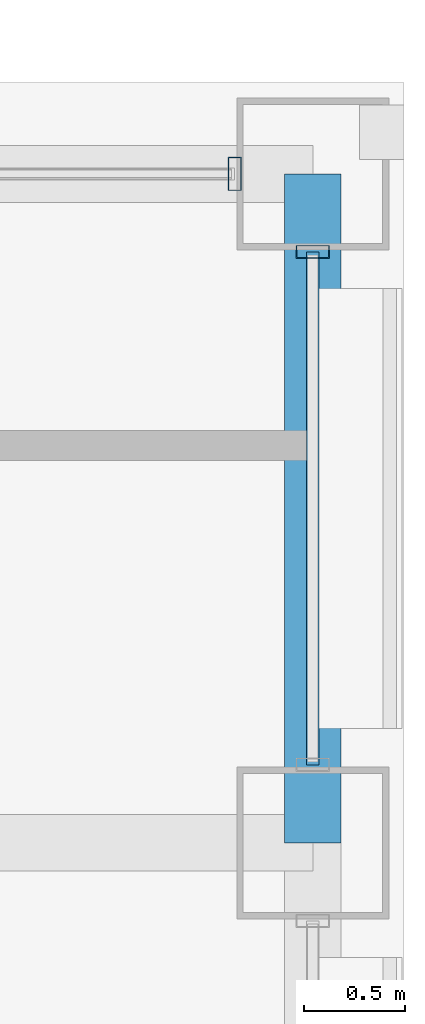
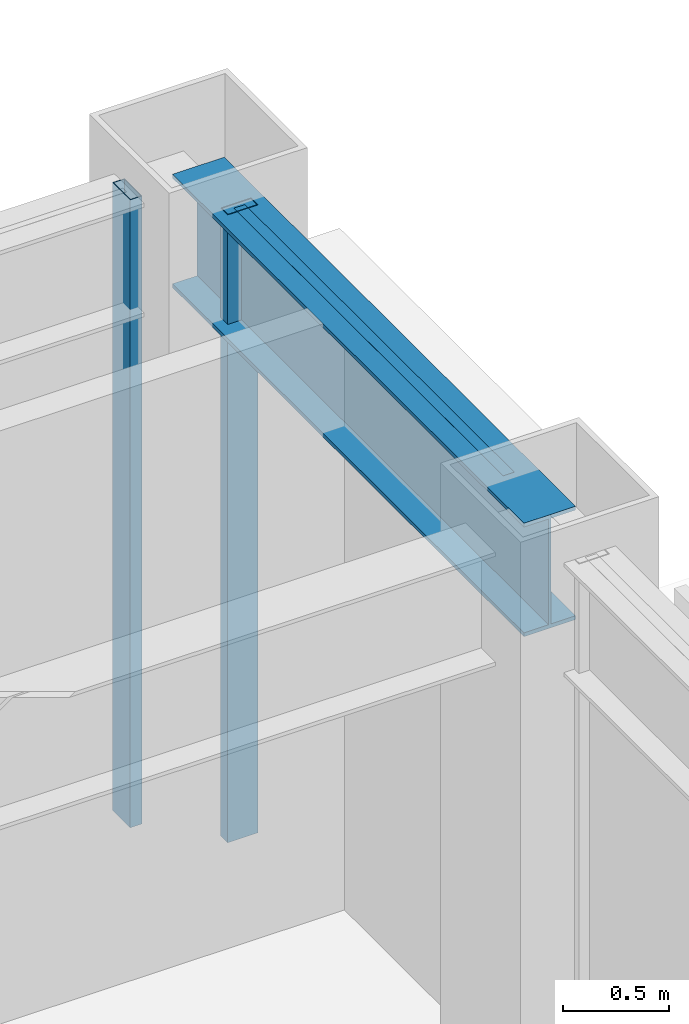
# One storey, part 23 of 31: 3 members, 1 beam, 2 elements without a shape of their own.
"""IFC4 building model written with IfcOpenShell, lengths in metres."""

from ifc_helpers import new_model, si_unit, direction, frame, origin, origin_2d, place, context, subcontext, project, spatial, hollow_rectangle, i_section, extrude, material, layer, layer_set, material_profile, profile_set, type_object, element, aggregate, save


model = new_model("IFC4")

# Units and contexts
model_context = context("Model", 3, precision=1e-05, world=origin(), true_north=direction((0.0, 1.0)))
body_context = subcontext(model_context, "Body", "Model", "MODEL_VIEW")
ifc_project = project(units=[si_unit("LENGTHUNIT", "METRE"), si_unit("AREAUNIT", "SQUARE_METRE"), si_unit("VOLUMEUNIT", "CUBIC_METRE"), si_unit("PLANEANGLEUNIT", "RADIAN"), si_unit("MASSUNIT", "GRAM", prefix="KILO")], contexts=[model_context])

# Site, building, storey
site_placement = place(None, origin())
site = spatial("IfcSite", under=ifc_project, at=site_placement, CompositionType="ELEMENT")
building_placement = place(site_placement, origin())
building = spatial("IfcBuilding", under=site, at=building_placement, Name="Brelmoor Portico Tower", CompositionType="ELEMENT")
storey_placement = place(building_placement, frame((0.0, 0.0, 176.699951171875)))
storey = spatial("IfcBuildingStorey", under=building, at=storey_placement, Name="L46", CompositionType="ELEMENT", Elevation=176.699951171875)

# Beam
ifc_material_1 = material(Name="Steel Q355B", Category="steel")
ifc_material_profile_1 = material_profile(ifc_material_1, i_section(OverallWidth=0.280029296875, OverallDepth=0.64990234375, WebThickness=0.012939453125, FlangeThickness=0.02197265625, at=origin_2d()), Name="HN 650x280x13x22")
ifc_profile_set_1 = profile_set([ifc_material_profile_1], Name="Steel Q355B")
beam_type = type_object("IfcBeamType", Name="BM-SP-650", PredefinedType="SPANDREL", material=ifc_profile_set_1)
beam_placement = place(storey_placement, frame((20.550048828125, 9.75, 3.074951171875), z_axis=(0.0, 1.0, 0.0), x_axis=(-1.0, 0.0, 0.0)))
element("IfcBeam", 1, at=beam_placement, inside=storey, type_object=beam_type, Name="L46 Perimeter Spandrel Beam SP-20", PredefinedType="SPANDREL", context=body_context, shape_type="SweptSolid", body=[
    extrude(i_section(OverallWidth=0.280029296875, OverallDepth=0.64990234375, WebThickness=0.012939453125, FlangeThickness=0.02197265625, at=origin_2d()), origin(), (0.0, 0.0, 1.0), 3.300048828125),
])

# Curtain wall, member
ifc_material_2 = material(Name="Anodised Aluminium Alloy 6063-T6", Category="aluminium")
ifc_layer_1 = layer(ifc_material_2, 0.179931640625)
ifc_layer_set_1 = layer_set([ifc_layer_1], Name="Anodised Aluminium Alloy 6063-T6")
curtain_wall_type_1 = type_object("IfcCurtainWallType", Name="CW-TOWER-Z3-XB", PredefinedType="NOTDEFINED", material=ifc_layer_set_1)
curtain_wall_1_placement = place(storey_placement, origin())
curtain_wall_1 = element("IfcCurtainWall", 2, at=curtain_wall_1_placement, inside=storey, type_object=curtain_wall_type_1, Name="L46 Curtain Wall CW-L46-04-3", PredefinedType="NOTDEFINED")
ifc_material_profile_2 = material_profile(ifc_material_2, hollow_rectangle(XDim=0.06494140625, YDim=0.1650390625, WallThickness=0.00390625, at=origin_2d()), Name="ALU MULLION 65x165")
ifc_profile_set_2 = profile_set([ifc_material_profile_2], Name="Anodised Aluminium Alloy 6063-T6")
member_type_1 = type_object("IfcMemberType", Name="MB-CW-MULL-165", PredefinedType="MULLION", material=ifc_profile_set_2)
member_1_placement = place(storey_placement, frame((20.550048828125, 12.6650390625, -0.199951171875), z_axis=(0.0, 0.0, 1.0), x_axis=(0.0, 1.0, 0.0)))
member_1 = element("IfcMember", 3, at=member_1_placement, type_object=member_type_1, Name="CW-L46-04-3 Mullion 01", PredefinedType="MULLION", context=body_context, shape_type="SweptSolid", body=[
    extrude(hollow_rectangle(XDim=0.06494140625, YDim=0.1650390625, WallThickness=0.00390625, at=origin_2d()), origin(), (0.0, 0.0, 1.0), 3.60009765625),
])

ifc_layer_2 = layer(ifc_material_2, 0.179931640625)
ifc_layer_set_2 = layer_set([ifc_layer_2], Name="Anodised Aluminium Alloy 6063-T6")
curtain_wall_type_2 = type_object("IfcCurtainWallType", Name="CW-NOTCH-CHAMFER", PredefinedType="NOTDEFINED", material=ifc_layer_set_2)
curtain_wall_2_placement = place(storey_placement, origin())
curtain_wall_2 = element("IfcCurtainWall", 4, at=curtain_wall_2_placement, inside=storey, type_object=curtain_wall_type_2, Name="L46 Curtain Wall CWN-L46-NEH", PredefinedType="NOTDEFINED")
member_2_placement = place(storey_placement, frame((20.1650390625, 13.050048828125, -0.199951171875), z_axis=(0.0, 0.0, 1.0), x_axis=(1.0, 0.0, 0.0)))
member_2 = element("IfcMember", 5, at=member_2_placement, type_object=member_type_1, Name="CWN-L46-NEH Mullion 01", PredefinedType="MULLION", context=body_context, shape_type="SweptSolid", body=[
    extrude(hollow_rectangle(XDim=0.06494140625, YDim=0.1650390625, WallThickness=0.00390625, at=origin_2d()), origin(), (0.0, 0.0, 1.0), 3.60009765625),
])
aggregate(curtain_wall_2, [member_2])

# Member
ifc_material_profile_3 = material_profile(ifc_material_2, hollow_rectangle(XDim=0.06005859375, YDim=0.125, WallThickness=0.00341796875, at=origin_2d()), Name="ALU TRANSOM 60x125")
ifc_profile_set_3 = profile_set([ifc_material_profile_3], Name="Anodised Aluminium Alloy 6063-T6")
member_type_2 = type_object("IfcMemberType", Name="MB-CW-TRAN-125", PredefinedType="USERDEFINED", material=ifc_profile_set_3)
member_3_placement = place(storey_placement, frame((20.550048828125, 10.135009765625, 3.337646484375), z_axis=(0.0, 1.0, 0.0), x_axis=(-1.0, 0.0, 0.0)))
member_3 = element("IfcMember", 6, at=member_3_placement, type_object=member_type_2, Name="CW-L46-04-3 Transom 1-00", ObjectType="TRANSOM", PredefinedType="USERDEFINED", context=body_context, shape_type="SweptSolid", body=[
    extrude(hollow_rectangle(XDim=0.06005859375, YDim=0.125, WallThickness=0.00341796875, at=origin_2d()), origin(), (0.0, 0.0, 1.0), 2.530029296875),
])

aggregate(curtain_wall_1, [member_1, member_3])

save(model, "model.ifc")
